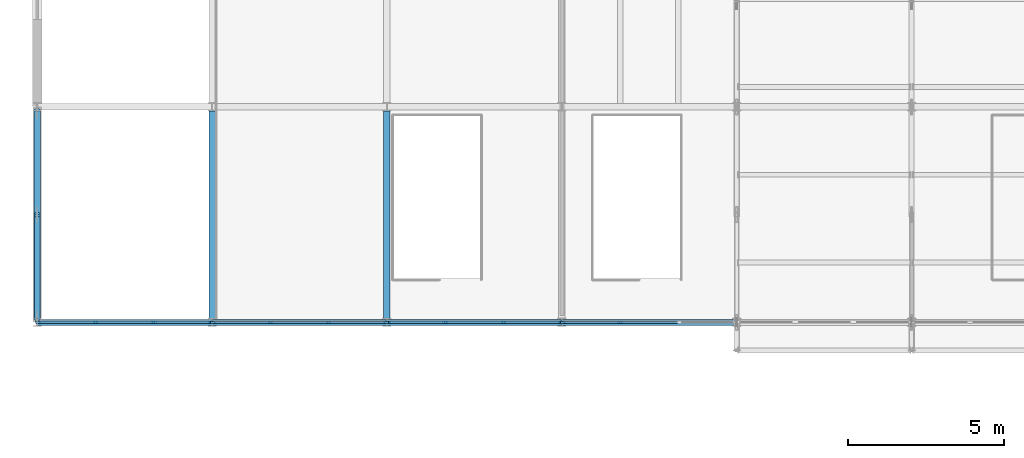
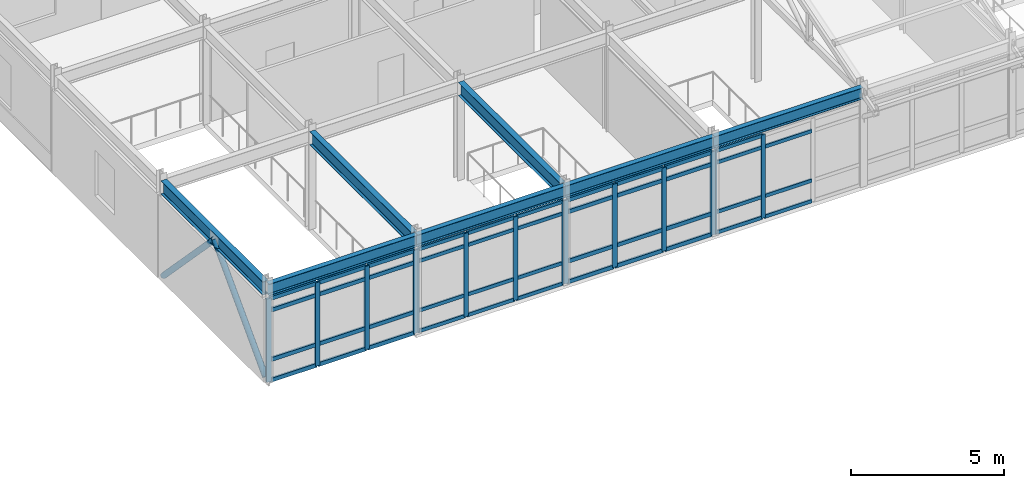
# One storey, part 60 of 144: 59 members, 7 beams, 4 elements without a shape of their own.
"""IFC4 building model written with IfcOpenShell, lengths in metres."""

import ifcopenshell
import ifcopenshell.guid

model = None  # the IFC model being written
_history = None  # IfcOwnerHistory: only IFC2X3 demands one
_inside = {}  # id of a spatial element -> (the spatial element, [elements in it])
_under = {}  # id of a project, library or spatial element -> (it, [spatial elements below it])
_declared = {}  # id of a project -> (the project, [libraries it declares])
_typed = {}  # id of a type object -> (the type object, [elements of that type])
_made_of = {}  # id of a material, layer set ... -> (it, [elements and type objects made of it])


def new_model(schema):
    """Start an empty IFC model of exactly this schema.

    Asked for "IFC4X3", IfcOpenShell would pick the latest addendum, in which some entities
    have other attributes; the version numbers below select the first issue.
    IFC2X3 requires an IfcOwnerHistory on every rooted entity: one is made here for all.
    """
    global model, _history
    if schema == "IFC4X3":
        model = ifcopenshell.file(schema_version=(4, 3, 0, 0))
    else:
        model = ifcopenshell.file(schema=schema)
    _inside.clear()
    _under.clear()
    _declared.clear()
    _typed.clear()
    _made_of.clear()
    _history = None
    if model.schema == "IFC2X3":
        org = make("IfcOrganization", Name="unknown")
        user = make(
            "IfcPersonAndOrganization",
            ThePerson=make("IfcPerson", FamilyName="unknown"),
            TheOrganization=org,
        )
        app = make(
            "IfcApplication",
            ApplicationDeveloper=org,
            Version="unknown",
            ApplicationFullName="unknown",
            ApplicationIdentifier="unknown",
        )
        _history = make(
            "IfcOwnerHistory",
            OwningUser=user,
            OwningApplication=app,
            ChangeAction="ADDED",
            CreationDate=0,
        )
    return model


def make(cls, **values):
    """One entity of the class cls with the attributes given. An attribute that is None is left unset."""
    return model.create_entity(
        cls, **{name: value for name, value in values.items() if value is not None}
    )


def rooted(cls, **values):
    """An entity with a GlobalId (a new one), such as an element, a storey or a relation."""
    return make(cls, GlobalId=ifcopenshell.guid.new(), OwnerHistory=_history, **values)


def si_unit(unit_type, name, prefix=None):
    """IfcSIUnit, for example si_unit("LENGTHUNIT", "METRE", prefix="MILLI")."""
    return make("IfcSIUnit", UnitType=unit_type, Prefix=prefix, Name=name)


def assignment(units):
    """IfcUnitAssignment: the units of a project."""
    return None if units is None else make("IfcUnitAssignment", Units=units)


def point(xyz):
    """IfcCartesianPoint."""
    return None if xyz is None else make("IfcCartesianPoint", Coordinates=xyz)


def direction(xyz):
    """IfcDirection."""
    return None if xyz is None else make("IfcDirection", DirectionRatios=xyz)


def frame(location, z_axis=None, x_axis=None):
    """IfcAxis2Placement3D, a coordinate frame: its origin and axes. An axis left out is left unset."""
    return make(
        "IfcAxis2Placement3D",
        Location=point(location),
        Axis=direction(z_axis),
        RefDirection=direction(x_axis),
    )


def frame_2d(location, x_axis=None):
    """IfcAxis2Placement2D, a coordinate frame in the plane: its origin and x axis."""
    return make(
        "IfcAxis2Placement2D", Location=point(location), RefDirection=direction(x_axis)
    )


def origin():
    """The frame at (0, 0, 0) with its axes left unset."""
    return frame((0.0, 0.0, 0.0))


def origin_2d():
    """The frame at (0, 0) in the plane with its x axis left unset."""
    return frame_2d((0.0, 0.0))


def place(relative_to, where):
    """IfcLocalPlacement: puts the frame where relative to a parent placement (None: the world)."""
    return make(
        "IfcLocalPlacement", PlacementRelTo=relative_to, RelativePlacement=where
    )


def context(
    kind, dimensions, precision=None, world=None, true_north=None, identifier=None
):
    """IfcGeometricRepresentationContext, for example the 3D "Model" context."""
    return make(
        "IfcGeometricRepresentationContext",
        ContextIdentifier=identifier,
        ContextType=kind,
        CoordinateSpaceDimension=dimensions,
        Precision=precision,
        WorldCoordinateSystem=world,
        TrueNorth=true_north,
    )


def subcontext(parent, identifier, kind, view, scale=None):
    """IfcGeometricRepresentationSubContext, for example "Body" below "Model"."""
    return make(
        "IfcGeometricRepresentationSubContext",
        ContextIdentifier=identifier,
        ContextType=kind,
        ParentContext=parent,
        TargetScale=scale,
        TargetView=view,
    )


def project(units=None, contexts=None):
    """IfcProject with its units and contexts."""
    return rooted(
        "IfcProject",
        Name="project",
        RepresentationContexts=contexts,
        UnitsInContext=assignment(units),
    )


def spatial(cls, under=None, at=None, **own):
    """A site, building, storey or space (cls), placed at a placement, below another one or the project."""
    s = rooted(cls, ObjectPlacement=at, **own)
    if under is not None:
        _under.setdefault(under.id(), (under, []))[1].append(s)
    return s


def profile(cls, at=None, kind="AREA", **sizes):
    """A parametric profile (cls). Its sizes go by their IFC names, for example OverallWidth=200.0."""
    return make(cls, ProfileType=kind, Position=at, **sizes)


def rectangle(**sizes):
    """IfcRectangleProfileDef."""
    return profile("IfcRectangleProfileDef", **sizes)


def hollow_circle(**sizes):
    """IfcCircleHollowProfileDef."""
    return profile("IfcCircleHollowProfileDef", **sizes)


def i_section(**sizes):
    """IfcIShapeProfileDef."""
    return profile("IfcIShapeProfileDef", **sizes)


def extrude(swept, where, along, depth):
    """IfcExtrudedAreaSolid: the profile swept, set in the frame where, extruded along a direction by depth."""
    return make(
        "IfcExtrudedAreaSolid",
        SweptArea=swept,
        Position=where,
        ExtrudedDirection=direction(along),
        Depth=depth,
    )


def shape(context_of_items, identifier, shape_type, items):
    """IfcShapeRepresentation: the items that make up one representation, for example the "Body"."""
    return make(
        "IfcShapeRepresentation",
        ContextOfItems=context_of_items,
        RepresentationIdentifier=identifier,
        RepresentationType=shape_type,
        Items=items,
    )


def material(Name=None, Category=None):
    """IfcMaterial."""
    return make("IfcMaterial", Name=Name, Category=Category)


def layer(
    of_material, thickness, ventilated=None, Name=None, Category=None, Priority=None
):
    """IfcMaterialLayer: one layer of a wall or slab, of a material (None: an air gap)."""
    return make(
        "IfcMaterialLayer",
        Material=of_material,
        LayerThickness=thickness,
        IsVentilated=ventilated,
        Name=Name,
        Category=Category,
        Priority=Priority,
    )


def layer_set(layers, Name=None):
    """IfcMaterialLayerSet."""
    return make("IfcMaterialLayerSet", MaterialLayers=layers, LayerSetName=Name)


def material_profile(
    of_material, cross_section, Name=None, Category=None, Priority=None
):
    """IfcMaterialProfile: a cross section and its material."""
    return make(
        "IfcMaterialProfile",
        Name=Name,
        Material=of_material,
        Profile=cross_section,
        Priority=Priority,
        Category=Category,
    )


def profile_set(profiles, Name=None, composite=None):
    """IfcMaterialProfileSet."""
    return make(
        "IfcMaterialProfileSet",
        Name=Name,
        MaterialProfiles=profiles,
        CompositeProfile=composite,
    )


def made_of(thing, what):
    """Note that an element or type object is made of a material, layer set ...; save() writes the relation."""
    if what is not None:
        _made_of.setdefault(what.id(), (what, []))[1].append(thing)
    return thing


def type_object(cls, material=None, **own):
    """A type object (cls), such as IfcWallType, which elements share."""
    return made_of(rooted(cls, **own), material)


def element(
    cls,
    number,
    at=None,
    inside=None,
    cuts=None,
    type_object=None,
    material=None,
    context=None,
    identifier="Body",
    shape_type=None,
    held_by="IfcProductDefinitionShape",
    body=None,
    shapes=None,
    **own,
):
    """One element of the class cls, such as IfcWall. Its Tag is "e" and its number.

    at: its placement. inside: the storey or other place that contains it. cuts: it is an
    opening in that element (IfcRelVoidsElement). A single representation is given by context,
    identifier, shape_type and body (its items); several are given by shapes. held_by: the class
    of the entity that holds the representations. save() writes the other relations.
    """
    e = rooted(cls, Tag="e%d" % number, ObjectPlacement=at, **own)
    if body is not None:
        shapes = [shape(context, identifier, shape_type, body)]
    if shapes is not None:
        e.Representation = make(held_by, Representations=shapes)
    if inside is not None:
        _inside.setdefault(inside.id(), (inside, []))[1].append(e)
    if cuts is not None:
        rooted(
            "IfcRelVoidsElement", RelatingBuildingElement=cuts, RelatedOpeningElement=e
        )
    if type_object is not None:
        _typed.setdefault(type_object.id(), (type_object, []))[1].append(e)
    return made_of(e, material)


def aggregate(whole, parts):
    """IfcRelAggregates: a whole, such as a stair, and the parts it consists of."""
    return rooted("IfcRelAggregates", RelatingObject=whole, RelatedObjects=parts)


def save(model, path):
    """Write the relations noted so far, then the file.

    IfcRelAggregates (storeys below a building ...), IfcRelContainedInSpatialStructure (elements
    in a storey), IfcRelDefinesByType, IfcRelAssociatesMaterial and IfcRelDeclares: one each for
    every whole, place, type object, material and project.
    """
    for whole, parts in _under.values():
        aggregate(whole, parts)
    for where, things in _inside.values():
        rooted(
            "IfcRelContainedInSpatialStructure",
            RelatedElements=things,
            RelatingStructure=where,
        )
    for kind, things in _typed.values():
        rooted("IfcRelDefinesByType", RelatedObjects=things, RelatingType=kind)
    for what, things in _made_of.values():
        rooted("IfcRelAssociatesMaterial", RelatedObjects=things, RelatingMaterial=what)
    for by, libraries in _declared.values():
        rooted("IfcRelDeclares", RelatingContext=by, RelatedDefinitions=libraries)
    model.write(path)


model = new_model("IFC4")

# Units and contexts
model_context = context("Model", 3, precision=1e-05, world=origin(), true_north=direction((0.0, 1.0)))
body_context = subcontext(model_context, "Body", "Model", "MODEL_VIEW")
ifc_project = project(units=[si_unit("LENGTHUNIT", "METRE"), si_unit("AREAUNIT", "SQUARE_METRE"), si_unit("VOLUMEUNIT", "CUBIC_METRE"), si_unit("PLANEANGLEUNIT", "RADIAN"), si_unit("MASSUNIT", "GRAM", prefix="KILO")], contexts=[model_context])

# Site, building, storey
site_placement = place(None, origin())
site = spatial("IfcSite", under=ifc_project, at=site_placement, CompositionType="ELEMENT")
building_placement = place(site_placement, origin())
building = spatial("IfcBuilding", under=site, at=building_placement, Name="Trelmorton Wharf Fire Station", CompositionType="ELEMENT")
storey_placement = place(building_placement, frame((0.0, 0.0, 5.39990234375)))
storey = spatial("IfcBuildingStorey", under=building, at=storey_placement, Name="L01", CompositionType="ELEMENT", Elevation=5.39990234375)

# Beams
ifc_material_1 = material(Name="Steel Grade 350", Category="steel")
ifc_material_profile_1 = material_profile(ifc_material_1, i_section(OverallWidth=0.208984375, OverallDepth=0.532958984375, WebThickness=0.01025390625, FlangeThickness=0.015625, FilletRadius=0.013916015625, at=origin_2d()), Name="530UB92.4")
ifc_profile_set_1 = profile_set([ifc_material_profile_1], Name="Steel Grade 350")
beam_type_1 = type_object("IfcBeamType", Name="BM_530UB92", PredefinedType="BEAM", material=ifc_profile_set_1)
for number, where, z_axis, x_axis, name in (
    (1, (0.800048828125, 60.426025390625, 3.66357421875), (0.0, 1.0, 0.0), (-1.0, 0.0, 0.0), "BM-L01-0564"),
    (2, (6.39990234375, 60.426025390625, 3.66357421875), (0.0, 1.0, 0.0), (-1.0, 0.0, 0.0), "BM-L01-0568"),
    (3, (12.0, 60.426025390625, 3.66357421875), (0.0, 1.0, 0.0), (-1.0, 0.0, 0.0), "BM-L01-0572"),
):
    element("IfcBeam", number, at=place(storey_placement, frame(where, z_axis=z_axis, x_axis=x_axis)), inside=storey, type_object=beam_type_1, Name=name, PredefinedType="BEAM", context=body_context, shape_type="SweptSolid", body=[
        extrude(i_section(OverallWidth=0.208984375, OverallDepth=0.532958984375, WebThickness=0.01025390625, FlangeThickness=0.015625, FilletRadius=0.013916015625, at=origin_2d()), origin(), (0.0, 0.0, 1.0), 6.64794921875),
    ])

# Members
ifc_material_2 = material(Name="Steel C350L0 (350 MPa)", Category="steel")
ifc_material_profile_2 = material_profile(ifc_material_2, hollow_circle(Radius=0.109619140625, WallThickness=0.00830078125, at=origin_2d()), Name="219.1x8.2CHS")
ifc_profile_set_2 = profile_set([ifc_material_profile_2], Name="Steel C350L0 (350 MPa)")
member_type_1 = type_object("IfcMemberType", Name="BR_219CHS", PredefinedType="BRACE", material=ifc_profile_set_2)
for number, where, z_axis, x_axis, name in (
    (4, (0.800048828125, 60.427001953125, 0.1201171875), (0.0, 0.69268753825, 0.721237807074), (-1.0, 0.0, 0.0), "CBF-V6-W-L01-A"),
    (5, (0.800048828125, 67.072998046875, 0.1201171875), (0.0, -0.69268753825, 0.721237807074), (1.0, 0.0, 0.0), "CBF-V6-W-L01-B"),
):
    element("IfcMember", number, at=place(storey_placement, frame(where, z_axis=z_axis, x_axis=x_axis)), inside=storey, type_object=member_type_1, Name=name, PredefinedType="BRACE", context=body_context, shape_type="SweptSolid", body=[
        extrude(hollow_circle(Radius=0.109619140625, WallThickness=0.00830078125, at=origin_2d()), origin(), (0.0, 0.0, 1.0), 4.79736328125),
    ])

# Curtain wall, members
ifc_material_3 = material(Name="Anodised aluminium AW-6063", Category="aluminium")
ifc_layer = layer(ifc_material_3, 0.14990234375)
ifc_layer_set = layer_set([ifc_layer], Name="Anodised aluminium AW-6063")
curtain_wall_type = type_object("IfcCurtainWallType", Name="CW_UNIT_A", PredefinedType="USERDEFINED", material=ifc_layer_set)
curtain_wall_1_placement = place(storey_placement, origin())
curtain_wall_1 = element("IfcCurtainWall", 6, at=curtain_wall_1_placement, inside=storey, type_object=curtain_wall_type, Name="CW-V6-L01-091", ObjectType="UNITISED CURTAIN WALL", PredefinedType="USERDEFINED")
ifc_material_profile_3 = material_profile(ifc_material_3, rectangle(XDim=0.06494140625, YDim=0.159912109375, at=origin_2d()), Name="ALU-65x160")
ifc_profile_set_3 = profile_set([ifc_material_profile_3], Name="Anodised aluminium AW-6063")
member_type_2 = type_object("IfcMemberType", Name="CWM_65x160", PredefinedType="MULLION", material=ifc_profile_set_3)
member_1_placement = place(storey_placement, frame((11.965087890625, 60.300048828125, 0.0), z_axis=(0.0, 0.0, 1.0), x_axis=(0.0, -1.0, 0.0)))
member_1 = element("IfcMember", 7, at=member_1_placement, type_object=member_type_2, Name="CW3 mullion 1", PredefinedType="MULLION", context=body_context, shape_type="SweptSolid", body=[
    extrude(rectangle(XDim=0.06494140625, YDim=0.159912109375, at=origin_2d()), origin(), (0.0, 0.0, 1.0), 3.320068359375),
])
member_2_placement = place(storey_placement, frame((10.131591796875, 60.300048828125, 0.0), z_axis=(0.0, 0.0, 1.0), x_axis=(0.0, -1.0, 0.0)))
member_2 = element("IfcMember", 8, at=member_2_placement, type_object=member_type_2, Name="CW3 mullion 2", PredefinedType="MULLION", context=body_context, shape_type="SweptSolid", body=[
    extrude(rectangle(XDim=0.06494140625, YDim=0.159912109375, at=origin_2d()), origin(), (0.0, 0.0, 1.0), 3.320068359375),
])
member_3_placement = place(storey_placement, frame((8.268310546875, 60.300048828125, 0.0), z_axis=(0.0, 0.0, 1.0), x_axis=(0.0, -1.0, 0.0)))
member_3 = element("IfcMember", 9, at=member_3_placement, type_object=member_type_2, Name="CW3 mullion 3", PredefinedType="MULLION", context=body_context, shape_type="SweptSolid", body=[
    extrude(rectangle(XDim=0.06494140625, YDim=0.159912109375, at=origin_2d()), origin(), (0.0, 0.0, 1.0), 3.320068359375),
])
member_4_placement = place(storey_placement, frame((6.43505859375, 60.300048828125, 0.0), z_axis=(0.0, 0.0, 1.0), x_axis=(0.0, -1.0, 0.0)))
member_4 = element("IfcMember", 10, at=member_4_placement, type_object=member_type_2, Name="CW3 mullion 4", PredefinedType="MULLION", context=body_context, shape_type="SweptSolid", body=[
    extrude(rectangle(XDim=0.06494140625, YDim=0.159912109375, at=origin_2d()), origin(), (0.0, 0.0, 1.0), 3.320068359375),
])

curtain_wall_2_placement = place(storey_placement, origin())
curtain_wall_2 = element("IfcCurtainWall", 11, at=curtain_wall_2_placement, inside=storey, type_object=curtain_wall_type, Name="CW-V6-L01-093", ObjectType="UNITISED CURTAIN WALL", PredefinedType="USERDEFINED")
member_5_placement = place(storey_placement, frame((19.46826171875, 60.300048828125, 0.0), z_axis=(0.0, 0.0, 1.0), x_axis=(0.0, -1.0, 0.0)))
member_5 = element("IfcMember", 12, at=member_5_placement, type_object=member_type_2, Name="CW3 mullion 3", PredefinedType="MULLION", context=body_context, shape_type="SweptSolid", body=[
    extrude(rectangle(XDim=0.06494140625, YDim=0.159912109375, at=origin_2d()), origin(), (0.0, 0.0, 1.0), 3.320068359375),
])
member_6_placement = place(storey_placement, frame((17.635009765625, 60.300048828125, 0.0), z_axis=(0.0, 0.0, 1.0), x_axis=(0.0, -1.0, 0.0)))
member_6 = element("IfcMember", 13, at=member_6_placement, type_object=member_type_2, Name="CW3 mullion 4", PredefinedType="MULLION", context=body_context, shape_type="SweptSolid", body=[
    extrude(rectangle(XDim=0.06494140625, YDim=0.159912109375, at=origin_2d()), origin(), (0.0, 0.0, 1.0), 3.320068359375),
])

curtain_wall_3_placement = place(storey_placement, origin())
curtain_wall_3 = element("IfcCurtainWall", 14, at=curtain_wall_3_placement, inside=storey, type_object=curtain_wall_type, Name="CW-V6-L01-090", ObjectType="UNITISED CURTAIN WALL", PredefinedType="USERDEFINED")
ifc_material_profile_4 = material_profile(ifc_material_3, rectangle(XDim=0.074951171875, YDim=0.175048828125, at=origin_2d()), Name="ALU-75x175")
ifc_profile_set_4 = profile_set([ifc_material_profile_4], Name="Anodised aluminium AW-6063")
member_type_3 = type_object("IfcMemberType", Name="CWM_75x175", PredefinedType="MULLION", material=ifc_profile_set_4)
member_7_placement = place(storey_placement, frame((6.364990234375, 60.300048828125, 0.0), z_axis=(0.0, 0.0, 1.0), x_axis=(0.0, -1.0, 0.0)))
member_7 = element("IfcMember", 15, at=member_7_placement, type_object=member_type_3, Name="CW3 mullion 1", PredefinedType="MULLION", context=body_context, shape_type="SweptSolid", body=[
    extrude(rectangle(XDim=0.074951171875, YDim=0.175048828125, at=origin_2d()), origin(), (0.0, 0.0, 1.0), 3.320068359375),
])
member_8_placement = place(storey_placement, frame((4.53173828125, 60.300048828125, 0.0), z_axis=(0.0, 0.0, 1.0), x_axis=(0.0, -1.0, 0.0)))
member_8 = element("IfcMember", 16, at=member_8_placement, type_object=member_type_3, Name="CW3 mullion 2", PredefinedType="MULLION", context=body_context, shape_type="SweptSolid", body=[
    extrude(rectangle(XDim=0.074951171875, YDim=0.175048828125, at=origin_2d()), origin(), (0.0, 0.0, 1.0), 3.320068359375),
])
member_9_placement = place(storey_placement, frame((2.668212890625, 60.300048828125, 0.0), z_axis=(0.0, 0.0, 1.0), x_axis=(0.0, -1.0, 0.0)))
member_9 = element("IfcMember", 17, at=member_9_placement, type_object=member_type_3, Name="CW3 mullion 3", PredefinedType="MULLION", context=body_context, shape_type="SweptSolid", body=[
    extrude(rectangle(XDim=0.074951171875, YDim=0.175048828125, at=origin_2d()), origin(), (0.0, 0.0, 1.0), 3.320068359375),
])
member_10_placement = place(storey_placement, frame((0.8349609375, 60.300048828125, 0.0), z_axis=(0.0, 0.0, 1.0), x_axis=(0.0, -1.0, 0.0)))
member_10 = element("IfcMember", 18, at=member_10_placement, type_object=member_type_3, Name="CW3 mullion 4", PredefinedType="MULLION", context=body_context, shape_type="SweptSolid", body=[
    extrude(rectangle(XDim=0.074951171875, YDim=0.175048828125, at=origin_2d()), origin(), (0.0, 0.0, 1.0), 3.320068359375),
])

curtain_wall_4_placement = place(storey_placement, origin())
curtain_wall_4 = element("IfcCurtainWall", 19, at=curtain_wall_4_placement, inside=storey, type_object=curtain_wall_type, Name="CW-V6-L01-092", ObjectType="UNITISED CURTAIN WALL", PredefinedType="USERDEFINED")
member_11_placement = place(storey_placement, frame((17.56494140625, 60.300048828125, 0.0), z_axis=(0.0, 0.0, 1.0), x_axis=(0.0, -1.0, 0.0)))
member_11 = element("IfcMember", 20, at=member_11_placement, type_object=member_type_3, Name="CW3 mullion 1", PredefinedType="MULLION", context=body_context, shape_type="SweptSolid", body=[
    extrude(rectangle(XDim=0.074951171875, YDim=0.175048828125, at=origin_2d()), origin(), (0.0, 0.0, 1.0), 3.320068359375),
])
member_12_placement = place(storey_placement, frame((15.731689453125, 60.300048828125, 0.0), z_axis=(0.0, 0.0, 1.0), x_axis=(0.0, -1.0, 0.0)))
member_12 = element("IfcMember", 21, at=member_12_placement, type_object=member_type_3, Name="CW3 mullion 2", PredefinedType="MULLION", context=body_context, shape_type="SweptSolid", body=[
    extrude(rectangle(XDim=0.074951171875, YDim=0.175048828125, at=origin_2d()), origin(), (0.0, 0.0, 1.0), 3.320068359375),
])
member_13_placement = place(storey_placement, frame((13.868408203125, 60.300048828125, 0.0), z_axis=(0.0, 0.0, 1.0), x_axis=(0.0, -1.0, 0.0)))
member_13 = element("IfcMember", 22, at=member_13_placement, type_object=member_type_3, Name="CW3 mullion 3", PredefinedType="MULLION", context=body_context, shape_type="SweptSolid", body=[
    extrude(rectangle(XDim=0.074951171875, YDim=0.175048828125, at=origin_2d()), origin(), (0.0, 0.0, 1.0), 3.320068359375),
])
member_14_placement = place(storey_placement, frame((12.034912109375, 60.300048828125, 0.0), z_axis=(0.0, 0.0, 1.0), x_axis=(0.0, -1.0, 0.0)))
member_14 = element("IfcMember", 23, at=member_14_placement, type_object=member_type_3, Name="CW3 mullion 4", PredefinedType="MULLION", context=body_context, shape_type="SweptSolid", body=[
    extrude(rectangle(XDim=0.074951171875, YDim=0.175048828125, at=origin_2d()), origin(), (0.0, 0.0, 1.0), 3.320068359375),
])

# Member
ifc_material_profile_5 = material_profile(ifc_material_3, rectangle(XDim=0.06494140625, YDim=0.139892578125, at=origin_2d()), Name="ALU-65x140")
ifc_profile_set_5 = profile_set([ifc_material_profile_5], Name="Anodised aluminium AW-6063")
member_type_4 = type_object("IfcMemberType", Name="CWT_65x140", PredefinedType="USERDEFINED", material=ifc_profile_set_5)
member_15_placement = place(storey_placement, frame((11.93505859375, 60.300048828125, 0.030029296875), z_axis=(-1.0, 0.0, 0.0), x_axis=(0.0, -1.0, 0.0)))
member_15 = element("IfcMember", 24, at=member_15_placement, type_object=member_type_4, Name="CW3 transom 1.1", ObjectType="TRANSOM", PredefinedType="USERDEFINED", context=body_context, shape_type="SweptSolid", body=[
    extrude(rectangle(XDim=0.06494140625, YDim=0.139892578125, at=origin_2d()), origin(), (0.0, 0.0, 1.0), 1.7734375),
])

member_16_placement = place(storey_placement, frame((11.93505859375, 60.300048828125, 0.85009765625), z_axis=(-1.0, 0.0, 0.0), x_axis=(0.0, -1.0, 0.0)))
member_16 = element("IfcMember", 25, at=member_16_placement, type_object=member_type_4, Name="CW3 transom 1.2", ObjectType="TRANSOM", PredefinedType="USERDEFINED", context=body_context, shape_type="SweptSolid", body=[
    extrude(rectangle(XDim=0.06494140625, YDim=0.139892578125, at=origin_2d()), origin(), (0.0, 0.0, 1.0), 1.7734375),
])

member_17_placement = place(storey_placement, frame((11.93505859375, 60.300048828125, 2.820068359375), z_axis=(-1.0, 0.0, 0.0), x_axis=(0.0, -1.0, 0.0)))
member_17 = element("IfcMember", 26, at=member_17_placement, type_object=member_type_4, Name="CW3 transom 1.3", ObjectType="TRANSOM", PredefinedType="USERDEFINED", context=body_context, shape_type="SweptSolid", body=[
    extrude(rectangle(XDim=0.06494140625, YDim=0.139892578125, at=origin_2d()), origin(), (0.0, 0.0, 1.0), 1.7734375),
])

member_18_placement = place(storey_placement, frame((11.93505859375, 60.300048828125, 3.2900390625), z_axis=(-1.0, 0.0, 0.0), x_axis=(0.0, -1.0, 0.0)))
member_18 = element("IfcMember", 27, at=member_18_placement, type_object=member_type_4, Name="CW3 transom 1.4", ObjectType="TRANSOM", PredefinedType="USERDEFINED", context=body_context, shape_type="SweptSolid", body=[
    extrude(rectangle(XDim=0.06494140625, YDim=0.139892578125, at=origin_2d()), origin(), (0.0, 0.0, 1.0), 1.7734375),
])

member_19_placement = place(storey_placement, frame((10.1015625, 60.300048828125, 0.030029296875), z_axis=(-1.0, 0.0, 0.0), x_axis=(0.0, -1.0, 0.0)))
member_19 = element("IfcMember", 28, at=member_19_placement, type_object=member_type_4, Name="CW3 transom 2.1", ObjectType="TRANSOM", PredefinedType="USERDEFINED", context=body_context, shape_type="SweptSolid", body=[
    extrude(rectangle(XDim=0.06494140625, YDim=0.139892578125, at=origin_2d()), origin(), (0.0, 0.0, 1.0), 1.80322265625),
])

member_20_placement = place(storey_placement, frame((10.1015625, 60.300048828125, 0.85009765625), z_axis=(-1.0, 0.0, 0.0), x_axis=(0.0, -1.0, 0.0)))
member_20 = element("IfcMember", 29, at=member_20_placement, type_object=member_type_4, Name="CW3 transom 2.2", ObjectType="TRANSOM", PredefinedType="USERDEFINED", context=body_context, shape_type="SweptSolid", body=[
    extrude(rectangle(XDim=0.06494140625, YDim=0.139892578125, at=origin_2d()), origin(), (0.0, 0.0, 1.0), 1.80322265625),
])

member_21_placement = place(storey_placement, frame((10.1015625, 60.300048828125, 2.820068359375), z_axis=(-1.0, 0.0, 0.0), x_axis=(0.0, -1.0, 0.0)))
member_21 = element("IfcMember", 30, at=member_21_placement, type_object=member_type_4, Name="CW3 transom 2.3", ObjectType="TRANSOM", PredefinedType="USERDEFINED", context=body_context, shape_type="SweptSolid", body=[
    extrude(rectangle(XDim=0.06494140625, YDim=0.139892578125, at=origin_2d()), origin(), (0.0, 0.0, 1.0), 1.80322265625),
])

member_22_placement = place(storey_placement, frame((10.1015625, 60.300048828125, 3.2900390625), z_axis=(-1.0, 0.0, 0.0), x_axis=(0.0, -1.0, 0.0)))
member_22 = element("IfcMember", 31, at=member_22_placement, type_object=member_type_4, Name="CW3 transom 2.4", ObjectType="TRANSOM", PredefinedType="USERDEFINED", context=body_context, shape_type="SweptSolid", body=[
    extrude(rectangle(XDim=0.06494140625, YDim=0.139892578125, at=origin_2d()), origin(), (0.0, 0.0, 1.0), 1.80322265625),
])

member_23_placement = place(storey_placement, frame((8.23828125, 60.300048828125, 0.030029296875), z_axis=(-1.0, 0.0, 0.0), x_axis=(0.0, -1.0, 0.0)))
member_23 = element("IfcMember", 32, at=member_23_placement, type_object=member_type_4, Name="CW3 transom 3.1", ObjectType="TRANSOM", PredefinedType="USERDEFINED", context=body_context, shape_type="SweptSolid", body=[
    extrude(rectangle(XDim=0.06494140625, YDim=0.139892578125, at=origin_2d()), origin(), (0.0, 0.0, 1.0), 1.773193359375),
])

member_24_placement = place(storey_placement, frame((8.23828125, 60.300048828125, 0.85009765625), z_axis=(-1.0, 0.0, 0.0), x_axis=(0.0, -1.0, 0.0)))
member_24 = element("IfcMember", 33, at=member_24_placement, type_object=member_type_4, Name="CW3 transom 3.2", ObjectType="TRANSOM", PredefinedType="USERDEFINED", context=body_context, shape_type="SweptSolid", body=[
    extrude(rectangle(XDim=0.06494140625, YDim=0.139892578125, at=origin_2d()), origin(), (0.0, 0.0, 1.0), 1.773193359375),
])

member_25_placement = place(storey_placement, frame((8.23828125, 60.300048828125, 2.820068359375), z_axis=(-1.0, 0.0, 0.0), x_axis=(0.0, -1.0, 0.0)))
member_25 = element("IfcMember", 34, at=member_25_placement, type_object=member_type_4, Name="CW3 transom 3.3", ObjectType="TRANSOM", PredefinedType="USERDEFINED", context=body_context, shape_type="SweptSolid", body=[
    extrude(rectangle(XDim=0.06494140625, YDim=0.139892578125, at=origin_2d()), origin(), (0.0, 0.0, 1.0), 1.773193359375),
])

member_26_placement = place(storey_placement, frame((8.23828125, 60.300048828125, 3.2900390625), z_axis=(-1.0, 0.0, 0.0), x_axis=(0.0, -1.0, 0.0)))
member_26 = element("IfcMember", 35, at=member_26_placement, type_object=member_type_4, Name="CW3 transom 3.4", ObjectType="TRANSOM", PredefinedType="USERDEFINED", context=body_context, shape_type="SweptSolid", body=[
    extrude(rectangle(XDim=0.06494140625, YDim=0.139892578125, at=origin_2d()), origin(), (0.0, 0.0, 1.0), 1.773193359375),
])

aggregate(curtain_wall_1, [member_1, member_2, member_3, member_4, member_15, member_16, member_17, member_18, member_19, member_20, member_21, member_22, member_23, member_24, member_25, member_26])

member_27_placement = place(storey_placement, frame((21.3017578125, 60.300048828125, 0.030029296875), z_axis=(-1.0, 0.0, 0.0), x_axis=(0.0, -1.0, 0.0)))
member_27 = element("IfcMember", 36, at=member_27_placement, type_object=member_type_4, Name="CW3 transom 2.1", ObjectType="TRANSOM", PredefinedType="USERDEFINED", context=body_context, shape_type="SweptSolid", body=[
    extrude(rectangle(XDim=0.06494140625, YDim=0.139892578125, at=origin_2d()), origin(), (0.0, 0.0, 1.0), 1.803466796875),
])

member_28_placement = place(storey_placement, frame((21.3017578125, 60.300048828125, 0.85009765625), z_axis=(-1.0, 0.0, 0.0), x_axis=(0.0, -1.0, 0.0)))
member_28 = element("IfcMember", 37, at=member_28_placement, type_object=member_type_4, Name="CW3 transom 2.2", ObjectType="TRANSOM", PredefinedType="USERDEFINED", context=body_context, shape_type="SweptSolid", body=[
    extrude(rectangle(XDim=0.06494140625, YDim=0.139892578125, at=origin_2d()), origin(), (0.0, 0.0, 1.0), 1.803466796875),
])

member_29_placement = place(storey_placement, frame((21.3017578125, 60.300048828125, 2.820068359375), z_axis=(-1.0, 0.0, 0.0), x_axis=(0.0, -1.0, 0.0)))
member_29 = element("IfcMember", 38, at=member_29_placement, type_object=member_type_4, Name="CW3 transom 2.3", ObjectType="TRANSOM", PredefinedType="USERDEFINED", context=body_context, shape_type="SweptSolid", body=[
    extrude(rectangle(XDim=0.06494140625, YDim=0.139892578125, at=origin_2d()), origin(), (0.0, 0.0, 1.0), 1.803466796875),
])

member_30_placement = place(storey_placement, frame((19.438232421875, 60.300048828125, 0.030029296875), z_axis=(-1.0, 0.0, 0.0), x_axis=(0.0, -1.0, 0.0)))
member_30 = element("IfcMember", 39, at=member_30_placement, type_object=member_type_4, Name="CW3 transom 3.1", ObjectType="TRANSOM", PredefinedType="USERDEFINED", context=body_context, shape_type="SweptSolid", body=[
    extrude(rectangle(XDim=0.06494140625, YDim=0.139892578125, at=origin_2d()), origin(), (0.0, 0.0, 1.0), 1.773193359375),
])

member_31_placement = place(storey_placement, frame((19.438232421875, 60.300048828125, 0.85009765625), z_axis=(-1.0, 0.0, 0.0), x_axis=(0.0, -1.0, 0.0)))
member_31 = element("IfcMember", 40, at=member_31_placement, type_object=member_type_4, Name="CW3 transom 3.2", ObjectType="TRANSOM", PredefinedType="USERDEFINED", context=body_context, shape_type="SweptSolid", body=[
    extrude(rectangle(XDim=0.06494140625, YDim=0.139892578125, at=origin_2d()), origin(), (0.0, 0.0, 1.0), 1.773193359375),
])

member_32_placement = place(storey_placement, frame((19.438232421875, 60.300048828125, 2.820068359375), z_axis=(-1.0, 0.0, 0.0), x_axis=(0.0, -1.0, 0.0)))
member_32 = element("IfcMember", 41, at=member_32_placement, type_object=member_type_4, Name="CW3 transom 3.3", ObjectType="TRANSOM", PredefinedType="USERDEFINED", context=body_context, shape_type="SweptSolid", body=[
    extrude(rectangle(XDim=0.06494140625, YDim=0.139892578125, at=origin_2d()), origin(), (0.0, 0.0, 1.0), 1.773193359375),
])

member_33_placement = place(storey_placement, frame((19.438232421875, 60.300048828125, 3.2900390625), z_axis=(-1.0, 0.0, 0.0), x_axis=(0.0, -1.0, 0.0)))
member_33 = element("IfcMember", 42, at=member_33_placement, type_object=member_type_4, Name="CW3 transom 3.4", ObjectType="TRANSOM", PredefinedType="USERDEFINED", context=body_context, shape_type="SweptSolid", body=[
    extrude(rectangle(XDim=0.06494140625, YDim=0.139892578125, at=origin_2d()), origin(), (0.0, 0.0, 1.0), 1.773193359375),
])

aggregate(curtain_wall_2, [member_5, member_6, member_27, member_28, member_29, member_30, member_31, member_32, member_33])

ifc_material_profile_6 = material_profile(ifc_material_3, rectangle(XDim=0.074951171875, YDim=0.155029296875, at=origin_2d()), Name="ALU-75x155")
ifc_profile_set_6 = profile_set([ifc_material_profile_6], Name="Anodised aluminium AW-6063")
member_type_5 = type_object("IfcMemberType", Name="CWT_75x155", PredefinedType="USERDEFINED", material=ifc_profile_set_6)
member_34_placement = place(storey_placement, frame((6.3349609375, 60.300048828125, 0.030029296875), z_axis=(-1.0, 0.0, 0.0), x_axis=(0.0, -1.0, 0.0)))
member_34 = element("IfcMember", 43, at=member_34_placement, type_object=member_type_5, Name="CW3 transom 1.1", ObjectType="TRANSOM", PredefinedType="USERDEFINED", context=body_context, shape_type="SweptSolid", body=[
    extrude(rectangle(XDim=0.074951171875, YDim=0.155029296875, at=origin_2d()), origin(), (0.0, 0.0, 1.0), 1.773193359375),
])

member_35_placement = place(storey_placement, frame((6.3349609375, 60.300048828125, 0.85009765625), z_axis=(-1.0, 0.0, 0.0), x_axis=(0.0, -1.0, 0.0)))
member_35 = element("IfcMember", 44, at=member_35_placement, type_object=member_type_5, Name="CW3 transom 1.2", ObjectType="TRANSOM", PredefinedType="USERDEFINED", context=body_context, shape_type="SweptSolid", body=[
    extrude(rectangle(XDim=0.074951171875, YDim=0.155029296875, at=origin_2d()), origin(), (0.0, 0.0, 1.0), 1.773193359375),
])

member_36_placement = place(storey_placement, frame((6.3349609375, 60.300048828125, 2.820068359375), z_axis=(-1.0, 0.0, 0.0), x_axis=(0.0, -1.0, 0.0)))
member_36 = element("IfcMember", 45, at=member_36_placement, type_object=member_type_5, Name="CW3 transom 1.3", ObjectType="TRANSOM", PredefinedType="USERDEFINED", context=body_context, shape_type="SweptSolid", body=[
    extrude(rectangle(XDim=0.074951171875, YDim=0.155029296875, at=origin_2d()), origin(), (0.0, 0.0, 1.0), 1.773193359375),
])

member_37_placement = place(storey_placement, frame((6.3349609375, 60.300048828125, 3.2900390625), z_axis=(-1.0, 0.0, 0.0), x_axis=(0.0, -1.0, 0.0)))
member_37 = element("IfcMember", 46, at=member_37_placement, type_object=member_type_5, Name="CW3 transom 1.4", ObjectType="TRANSOM", PredefinedType="USERDEFINED", context=body_context, shape_type="SweptSolid", body=[
    extrude(rectangle(XDim=0.074951171875, YDim=0.155029296875, at=origin_2d()), origin(), (0.0, 0.0, 1.0), 1.773193359375),
])

member_38_placement = place(storey_placement, frame((4.501708984375, 60.300048828125, 0.030029296875), z_axis=(-1.0, 0.0, 0.0), x_axis=(0.0, -1.0, 0.0)))
member_38 = element("IfcMember", 47, at=member_38_placement, type_object=member_type_5, Name="CW3 transom 2.1", ObjectType="TRANSOM", PredefinedType="USERDEFINED", context=body_context, shape_type="SweptSolid", body=[
    extrude(rectangle(XDim=0.074951171875, YDim=0.155029296875, at=origin_2d()), origin(), (0.0, 0.0, 1.0), 1.803466796875),
])

member_39_placement = place(storey_placement, frame((4.501708984375, 60.300048828125, 0.85009765625), z_axis=(-1.0, 0.0, 0.0), x_axis=(0.0, -1.0, 0.0)))
member_39 = element("IfcMember", 48, at=member_39_placement, type_object=member_type_5, Name="CW3 transom 2.2", ObjectType="TRANSOM", PredefinedType="USERDEFINED", context=body_context, shape_type="SweptSolid", body=[
    extrude(rectangle(XDim=0.074951171875, YDim=0.155029296875, at=origin_2d()), origin(), (0.0, 0.0, 1.0), 1.803466796875),
])

member_40_placement = place(storey_placement, frame((4.501708984375, 60.300048828125, 2.820068359375), z_axis=(-1.0, 0.0, 0.0), x_axis=(0.0, -1.0, 0.0)))
member_40 = element("IfcMember", 49, at=member_40_placement, type_object=member_type_5, Name="CW3 transom 2.3", ObjectType="TRANSOM", PredefinedType="USERDEFINED", context=body_context, shape_type="SweptSolid", body=[
    extrude(rectangle(XDim=0.074951171875, YDim=0.155029296875, at=origin_2d()), origin(), (0.0, 0.0, 1.0), 1.803466796875),
])

member_41_placement = place(storey_placement, frame((4.501708984375, 60.300048828125, 3.2900390625), z_axis=(-1.0, 0.0, 0.0), x_axis=(0.0, -1.0, 0.0)))
member_41 = element("IfcMember", 50, at=member_41_placement, type_object=member_type_5, Name="CW3 transom 2.4", ObjectType="TRANSOM", PredefinedType="USERDEFINED", context=body_context, shape_type="SweptSolid", body=[
    extrude(rectangle(XDim=0.074951171875, YDim=0.155029296875, at=origin_2d()), origin(), (0.0, 0.0, 1.0), 1.803466796875),
])

member_42_placement = place(storey_placement, frame((2.638427734375, 60.300048828125, 0.030029296875), z_axis=(-1.0, 0.0, 0.0), x_axis=(0.0, -1.0, 0.0)))
member_42 = element("IfcMember", 51, at=member_42_placement, type_object=member_type_5, Name="CW3 transom 3.1", ObjectType="TRANSOM", PredefinedType="USERDEFINED", context=body_context, shape_type="SweptSolid", body=[
    extrude(rectangle(XDim=0.074951171875, YDim=0.155029296875, at=origin_2d()), origin(), (0.0, 0.0, 1.0), 1.7734375),
])

member_43_placement = place(storey_placement, frame((2.638427734375, 60.300048828125, 0.85009765625), z_axis=(-1.0, 0.0, 0.0), x_axis=(0.0, -1.0, 0.0)))
member_43 = element("IfcMember", 52, at=member_43_placement, type_object=member_type_5, Name="CW3 transom 3.2", ObjectType="TRANSOM", PredefinedType="USERDEFINED", context=body_context, shape_type="SweptSolid", body=[
    extrude(rectangle(XDim=0.074951171875, YDim=0.155029296875, at=origin_2d()), origin(), (0.0, 0.0, 1.0), 1.7734375),
])

member_44_placement = place(storey_placement, frame((2.638427734375, 60.300048828125, 2.820068359375), z_axis=(-1.0, 0.0, 0.0), x_axis=(0.0, -1.0, 0.0)))
member_44 = element("IfcMember", 53, at=member_44_placement, type_object=member_type_5, Name="CW3 transom 3.3", ObjectType="TRANSOM", PredefinedType="USERDEFINED", context=body_context, shape_type="SweptSolid", body=[
    extrude(rectangle(XDim=0.074951171875, YDim=0.155029296875, at=origin_2d()), origin(), (0.0, 0.0, 1.0), 1.7734375),
])

member_45_placement = place(storey_placement, frame((2.638427734375, 60.300048828125, 3.2900390625), z_axis=(-1.0, 0.0, 0.0), x_axis=(0.0, -1.0, 0.0)))
member_45 = element("IfcMember", 54, at=member_45_placement, type_object=member_type_5, Name="CW3 transom 3.4", ObjectType="TRANSOM", PredefinedType="USERDEFINED", context=body_context, shape_type="SweptSolid", body=[
    extrude(rectangle(XDim=0.074951171875, YDim=0.155029296875, at=origin_2d()), origin(), (0.0, 0.0, 1.0), 1.7734375),
])

aggregate(curtain_wall_3, [member_7, member_8, member_9, member_10, member_34, member_35, member_36, member_37, member_38, member_39, member_40, member_41, member_42, member_43, member_44, member_45])

member_46_placement = place(storey_placement, frame((17.534912109375, 60.300048828125, 0.030029296875), z_axis=(-1.0, 0.0, 0.0), x_axis=(0.0, -1.0, 0.0)))
member_46 = element("IfcMember", 55, at=member_46_placement, type_object=member_type_5, Name="CW3 transom 1.1", ObjectType="TRANSOM", PredefinedType="USERDEFINED", context=body_context, shape_type="SweptSolid", body=[
    extrude(rectangle(XDim=0.074951171875, YDim=0.155029296875, at=origin_2d()), origin(), (0.0, 0.0, 1.0), 1.773193359375),
])

member_47_placement = place(storey_placement, frame((17.534912109375, 60.300048828125, 0.85009765625), z_axis=(-1.0, 0.0, 0.0), x_axis=(0.0, -1.0, 0.0)))
member_47 = element("IfcMember", 56, at=member_47_placement, type_object=member_type_5, Name="CW3 transom 1.2", ObjectType="TRANSOM", PredefinedType="USERDEFINED", context=body_context, shape_type="SweptSolid", body=[
    extrude(rectangle(XDim=0.074951171875, YDim=0.155029296875, at=origin_2d()), origin(), (0.0, 0.0, 1.0), 1.773193359375),
])

member_48_placement = place(storey_placement, frame((17.534912109375, 60.300048828125, 2.820068359375), z_axis=(-1.0, 0.0, 0.0), x_axis=(0.0, -1.0, 0.0)))
member_48 = element("IfcMember", 57, at=member_48_placement, type_object=member_type_5, Name="CW3 transom 1.3", ObjectType="TRANSOM", PredefinedType="USERDEFINED", context=body_context, shape_type="SweptSolid", body=[
    extrude(rectangle(XDim=0.074951171875, YDim=0.155029296875, at=origin_2d()), origin(), (0.0, 0.0, 1.0), 1.773193359375),
])

member_49_placement = place(storey_placement, frame((17.534912109375, 60.300048828125, 3.2900390625), z_axis=(-1.0, 0.0, 0.0), x_axis=(0.0, -1.0, 0.0)))
member_49 = element("IfcMember", 58, at=member_49_placement, type_object=member_type_5, Name="CW3 transom 1.4", ObjectType="TRANSOM", PredefinedType="USERDEFINED", context=body_context, shape_type="SweptSolid", body=[
    extrude(rectangle(XDim=0.074951171875, YDim=0.155029296875, at=origin_2d()), origin(), (0.0, 0.0, 1.0), 1.773193359375),
])

member_50_placement = place(storey_placement, frame((15.70166015625, 60.300048828125, 0.030029296875), z_axis=(-1.0, 0.0, 0.0), x_axis=(0.0, -1.0, 0.0)))
member_50 = element("IfcMember", 59, at=member_50_placement, type_object=member_type_5, Name="CW3 transom 2.1", ObjectType="TRANSOM", PredefinedType="USERDEFINED", context=body_context, shape_type="SweptSolid", body=[
    extrude(rectangle(XDim=0.074951171875, YDim=0.155029296875, at=origin_2d()), origin(), (0.0, 0.0, 1.0), 1.80322265625),
])

member_51_placement = place(storey_placement, frame((15.70166015625, 60.300048828125, 0.85009765625), z_axis=(-1.0, 0.0, 0.0), x_axis=(0.0, -1.0, 0.0)))
member_51 = element("IfcMember", 60, at=member_51_placement, type_object=member_type_5, Name="CW3 transom 2.2", ObjectType="TRANSOM", PredefinedType="USERDEFINED", context=body_context, shape_type="SweptSolid", body=[
    extrude(rectangle(XDim=0.074951171875, YDim=0.155029296875, at=origin_2d()), origin(), (0.0, 0.0, 1.0), 1.80322265625),
])

member_52_placement = place(storey_placement, frame((15.70166015625, 60.300048828125, 2.820068359375), z_axis=(-1.0, 0.0, 0.0), x_axis=(0.0, -1.0, 0.0)))
member_52 = element("IfcMember", 61, at=member_52_placement, type_object=member_type_5, Name="CW3 transom 2.3", ObjectType="TRANSOM", PredefinedType="USERDEFINED", context=body_context, shape_type="SweptSolid", body=[
    extrude(rectangle(XDim=0.074951171875, YDim=0.155029296875, at=origin_2d()), origin(), (0.0, 0.0, 1.0), 1.80322265625),
])

member_53_placement = place(storey_placement, frame((15.70166015625, 60.300048828125, 3.2900390625), z_axis=(-1.0, 0.0, 0.0), x_axis=(0.0, -1.0, 0.0)))
member_53 = element("IfcMember", 62, at=member_53_placement, type_object=member_type_5, Name="CW3 transom 2.4", ObjectType="TRANSOM", PredefinedType="USERDEFINED", context=body_context, shape_type="SweptSolid", body=[
    extrude(rectangle(XDim=0.074951171875, YDim=0.155029296875, at=origin_2d()), origin(), (0.0, 0.0, 1.0), 1.80322265625),
])

member_54_placement = place(storey_placement, frame((13.83837890625, 60.300048828125, 0.030029296875), z_axis=(-1.0, 0.0, 0.0), x_axis=(0.0, -1.0, 0.0)))
member_54 = element("IfcMember", 63, at=member_54_placement, type_object=member_type_5, Name="CW3 transom 3.1", ObjectType="TRANSOM", PredefinedType="USERDEFINED", context=body_context, shape_type="SweptSolid", body=[
    extrude(rectangle(XDim=0.074951171875, YDim=0.155029296875, at=origin_2d()), origin(), (0.0, 0.0, 1.0), 1.7734375),
])

member_55_placement = place(storey_placement, frame((13.83837890625, 60.300048828125, 0.85009765625), z_axis=(-1.0, 0.0, 0.0), x_axis=(0.0, -1.0, 0.0)))
member_55 = element("IfcMember", 64, at=member_55_placement, type_object=member_type_5, Name="CW3 transom 3.2", ObjectType="TRANSOM", PredefinedType="USERDEFINED", context=body_context, shape_type="SweptSolid", body=[
    extrude(rectangle(XDim=0.074951171875, YDim=0.155029296875, at=origin_2d()), origin(), (0.0, 0.0, 1.0), 1.7734375),
])

member_56_placement = place(storey_placement, frame((13.83837890625, 60.300048828125, 2.820068359375), z_axis=(-1.0, 0.0, 0.0), x_axis=(0.0, -1.0, 0.0)))
member_56 = element("IfcMember", 65, at=member_56_placement, type_object=member_type_5, Name="CW3 transom 3.3", ObjectType="TRANSOM", PredefinedType="USERDEFINED", context=body_context, shape_type="SweptSolid", body=[
    extrude(rectangle(XDim=0.074951171875, YDim=0.155029296875, at=origin_2d()), origin(), (0.0, 0.0, 1.0), 1.7734375),
])

member_57_placement = place(storey_placement, frame((13.83837890625, 60.300048828125, 3.2900390625), z_axis=(-1.0, 0.0, 0.0), x_axis=(0.0, -1.0, 0.0)))
member_57 = element("IfcMember", 66, at=member_57_placement, type_object=member_type_5, Name="CW3 transom 3.4", ObjectType="TRANSOM", PredefinedType="USERDEFINED", context=body_context, shape_type="SweptSolid", body=[
    extrude(rectangle(XDim=0.074951171875, YDim=0.155029296875, at=origin_2d()), origin(), (0.0, 0.0, 1.0), 1.7734375),
])

aggregate(curtain_wall_4, [member_11, member_12, member_13, member_14, member_46, member_47, member_48, member_49, member_50, member_51, member_52, member_53, member_54, member_55, member_56, member_57])

# Beams
ifc_material_profile_7 = material_profile(ifc_material_1, i_section(OverallWidth=0.18994140625, OverallDepth=0.45703125, WebThickness=0.009033203125, FlangeThickness=0.014404296875, FilletRadius=0.011474609375, at=origin_2d()), Name="460UB74.6")
ifc_profile_set_7 = profile_set([ifc_material_profile_7], Name="Steel Grade 350")
beam_type_2 = type_object("IfcBeamType", Name="SP_460UB75", PredefinedType="SPANDREL", material=ifc_profile_set_7)
for number, where, z_axis, x_axis, name in (
    (67, (0.803955078125, 60.300048828125, 3.70166015625), (1.0, 0.0, 0.0), (0.0, 1.0, 0.0), "BM-L01-0487"),
    (68, (6.404052734375, 60.300048828125, 3.70166015625), (1.0, 0.0, 0.0), (0.0, 1.0, 0.0), "BM-L01-0488"),
    (69, (12.00390625, 60.300048828125, 3.70166015625), (1.0, 0.0, 0.0), (0.0, 1.0, 0.0), "BM-L01-0489"),
    (70, (17.60400390625, 60.300048828125, 3.70166015625), (1.0, 0.0, 0.0), (0.0, 1.0, 0.0), "BM-L01-0490"),
):
    element("IfcBeam", number, at=place(storey_placement, frame(where, z_axis=z_axis, x_axis=x_axis)), inside=storey, type_object=beam_type_2, Name=name, PredefinedType="SPANDREL", context=body_context, shape_type="SweptSolid", body=[
        extrude(i_section(OverallWidth=0.18994140625, OverallDepth=0.45703125, WebThickness=0.009033203125, FlangeThickness=0.014404296875, FilletRadius=0.011474609375, at=origin_2d()), origin(), (0.0, 0.0, 1.0), 5.592041015625),
    ])

save(model, "model.ifc")
